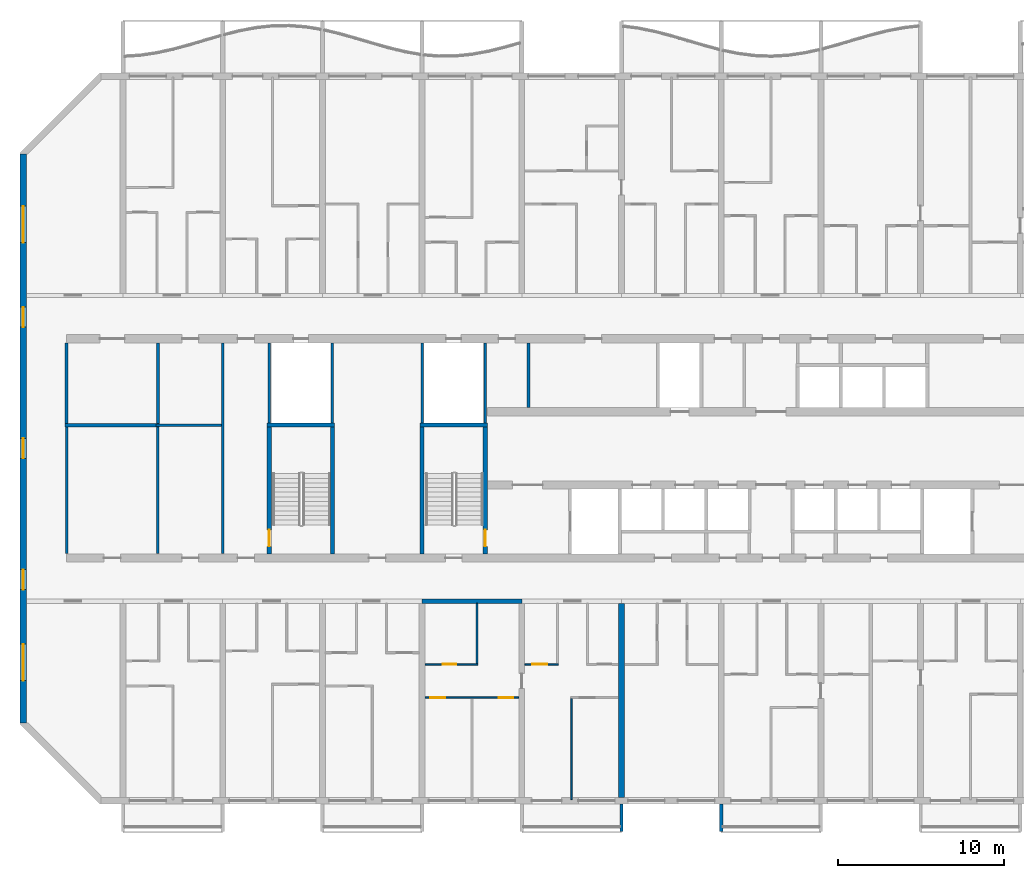
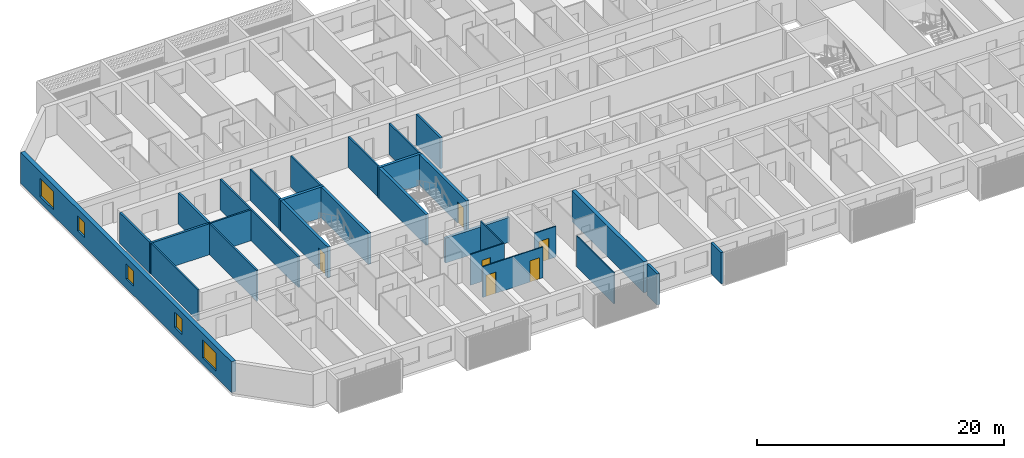
# One storey, part 3 of 27: 28 walls, 6 doors, 5 windows, 11 openings.
"""IFC4 building model written with IfcOpenShell, lengths in metres."""

from ifc_helpers import new_model, si_unit, direction, frame, frame_2d, origin, place, context, subcontext, project, spatial, polyline, rectangle, outline, extrude, source, transform, mapped, material, layer, layer_set, type_object, element, fill, save


model = new_model("IFC4")

# Units and contexts
model_context = context("Model", 3, precision=1e-05, world=origin(), true_north=direction((0.0, 1.0)))
body_context = subcontext(model_context, "Body", "Model", "MODEL_VIEW")
ifc_project = project(units=[si_unit("LENGTHUNIT", "METRE"), si_unit("AREAUNIT", "SQUARE_METRE"), si_unit("VOLUMEUNIT", "CUBIC_METRE"), si_unit("PLANEANGLEUNIT", "RADIAN"), si_unit("MASSUNIT", "GRAM", prefix="KILO")], contexts=[model_context])

# Site, building, storey
site_placement = place(None, origin())
site = spatial("IfcSite", under=ifc_project, at=site_placement, CompositionType="ELEMENT")
building_placement = place(site_placement, origin())
building = spatial("IfcBuilding", under=site, at=building_placement, Name="Poui Terraces", CompositionType="ELEMENT")
storey_placement = place(building_placement, frame((0.0, 0.0, 76.199951171875)))
storey = spatial("IfcBuildingStorey", under=building, at=storey_placement, Name="L20", CompositionType="ELEMENT", Elevation=76.199951171875)

# Walls
ifc_material_1 = material(Name="Fire-rated plasterboard wall")
ifc_layer_1 = layer(ifc_material_1, 0.14990234375)
ifc_layer_set_1 = layer_set([ifc_layer_1], Name="Fire-rated plasterboard wall")
wall_type_1 = type_object("IfcWallType", Name="CORRIDOR WALL 150", PredefinedType="PARTITIONING", material=ifc_layer_set_1)
wall_1_placement = place(storey_placement, frame((8.60009765625, 14.860107421875, 0.0), z_axis=(0.0, 0.0, 1.0), x_axis=(0.0, 1.0, 0.0)))
element("IfcWall", 1, at=wall_1_placement, inside=storey, type_object=wall_type_1, Name="CORRIDOR WALL 150", PredefinedType="PARTITIONING", context=body_context, shape_type="SweptSolid", body=[
    extrude(rectangle(XDim=7.639892578125, YDim=0.14990234375, at=frame_2d((3.81982421875, 0.0))), origin(), (0.0, 0.0, 1.0), 3.06005859375),
])
wall_2_placement = place(storey_placement, frame((18.0, 14.860107421875, 0.0), z_axis=(0.0, 0.0, 1.0), x_axis=(0.0, 1.0, 0.0)))
element("IfcWall", 2, at=wall_2_placement, inside=storey, type_object=wall_type_1, Name="CORRIDOR WALL 150", PredefinedType="PARTITIONING", context=body_context, shape_type="SweptSolid", body=[
    extrude(rectangle(XDim=12.679931640625, YDim=0.14990234375, at=frame_2d((6.33984375, 0.0))), origin(), (0.0, 0.0, 1.0), 3.06005859375),
])
ifc_material_2 = material(Name="Concrete 65 MPa", Category="concrete")
ifc_layer_2 = layer(ifc_material_2, 0.25)
ifc_layer_set_2 = layer_set([ifc_layer_2], Name="Concrete 65 MPa")
wall_type_2 = type_object("IfcWallType", Name="CORRIDOR WALL 250 65MPa", PredefinedType="SHEAR", material=ifc_layer_set_2)
wall_3_placement = place(storey_placement, frame((30.0, 12.0, 0.0), z_axis=(0.0, 0.0, 1.0), x_axis=(1.0, 0.0, 0.0)))
element("IfcWall", 3, at=wall_3_placement, inside=storey, type_object=wall_type_2, Name="CORRIDOR WALL LINE B BAY 5", PredefinedType="SHEAR", context=body_context, shape_type="SweptSolid", body=[
    extrude(rectangle(XDim=6.0, YDim=0.25, at=frame_2d((3.0, 0.0))), origin(), (0.0, 0.0, 1.0), 2.4599609375),
])
ifc_layer_3 = layer(ifc_material_2, 0.35009765625)
ifc_layer_set_3 = layer_set([ifc_layer_3], Name="Concrete 65 MPa")
wall_type_3 = type_object("IfcWallType", Name="CROSS WALL 350 65MPa", PredefinedType="SHEAR", material=ifc_layer_set_3)
wall_4_placement = place(storey_placement, frame((42.0, 0.199951171875, 0.0), z_axis=(0.0, 0.0, 1.0), x_axis=(0.0, 1.0, 0.0)))
element("IfcWall", 4, at=wall_4_placement, inside=storey, type_object=wall_type_3, Name="CROSS WALL LINE 8 SOUTH", PredefinedType="SHEAR", context=body_context, shape_type="SweptSolid", body=[
    extrude(rectangle(XDim=11.675048828125, YDim=0.35009765625, at=frame_2d((5.83740234375, 0.0))), origin(), (0.0, 0.0, 1.0), 3.06005859375),
])

# Wall, openings, windows
ifc_layer_4 = layer(ifc_material_2, 0.39990234375)
ifc_layer_set_4 = layer_set([ifc_layer_4], Name="Concrete 65 MPa")
wall_type_4 = type_object("IfcWallType", Name="END WALL 400 65MPa", PredefinedType="SHEAR", material=ifc_layer_set_4)
wall_5_placement = place(storey_placement, frame((6.0, 4.682861328125, 0.0), z_axis=(0.0, 0.0, 1.0), x_axis=(0.0, 1.0, 0.0)))
wall_5 = element("IfcWall", 5, at=wall_5_placement, inside=storey, type_object=wall_type_4, Name="END WALL WEST", PredefinedType="SHEAR", context=body_context, shape_type="SweptSolid", body=[
    extrude(rectangle(XDim=34.234375, YDim=0.39990234375, at=frame_2d((17.1171875, 0.0))), origin(), (0.0, 0.0, 1.0), 3.06005859375),
])
opening_1_placement = place(wall_5_placement, frame((23.817138671875, 0.0, 0.89990234375)))
opening_1 = element("IfcOpeningElement", 6, at=opening_1_placement, cuts=wall_5, Name="Opening W2", PredefinedType="OPENING", context=body_context, shape_type="SweptSolid", body=[
    extrude(rectangle(XDim=1.199951171875, YDim=1.5, at=frame_2d((0.60009765625, 0.75))), frame((0.0, 0.2099609375, 0.0), z_axis=(0.0, -1.0, 0.0), x_axis=(1.0, 0.0, 0.0)), (0.0, 0.0, 1.0), 0.419921875),
])
opening_2_placement = place(wall_5_placement, frame((8.01708984375, 0.0, 0.89990234375)))
opening_2 = element("IfcOpeningElement", 7, at=opening_2_placement, cuts=wall_5, Name="Opening W2", PredefinedType="OPENING", context=body_context, shape_type="SweptSolid", body=[
    extrude(rectangle(XDim=1.199951171875, YDim=1.5, at=frame_2d((0.60009765625, 0.75))), frame((0.0, 0.2099609375, 0.0), z_axis=(0.0, -1.0, 0.0), x_axis=(1.0, 0.0, 0.0)), (0.0, 0.0, 1.0), 0.419921875),
])
opening_3_placement = place(wall_5_placement, frame((15.917236328125, 0.0, 0.89990234375)))
opening_3 = element("IfcOpeningElement", 8, at=opening_3_placement, cuts=wall_5, Name="Opening W2", PredefinedType="OPENING", context=body_context, shape_type="SweptSolid", body=[
    extrude(rectangle(XDim=1.199951171875, YDim=1.5, at=frame_2d((0.60009765625, 0.75))), frame((0.0, 0.2099609375, 0.0), z_axis=(0.0, -1.0, 0.0), x_axis=(1.0, 0.0, 0.0)), (0.0, 0.0, 1.0), 0.419921875),
])
opening_4_placement = place(wall_5_placement, frame((28.8935546875, 0.0, 0.60009765625)))
opening_4 = element("IfcOpeningElement", 9, at=opening_4_placement, cuts=wall_5, Name="Opening W3", PredefinedType="OPENING", context=body_context, shape_type="SweptSolid", body=[
    extrude(rectangle(XDim=2.199951171875, YDim=1.800048828125, at=frame_2d((1.10009765625, 0.89990234375))), frame((0.0, 0.2099609375, 0.0), z_axis=(0.0, -1.0, 0.0), x_axis=(1.0, 0.0, 0.0)), (0.0, 0.0, 1.0), 0.419921875),
])
opening_5_placement = place(wall_5_placement, frame((2.541015625, 0.0, 0.60009765625)))
opening_5 = element("IfcOpeningElement", 10, at=opening_5_placement, cuts=wall_5, Name="Opening W3", PredefinedType="OPENING", context=body_context, shape_type="SweptSolid", body=[
    extrude(rectangle(XDim=2.199951171875, YDim=1.800048828125, at=frame_2d((1.10009765625, 0.89990234375))), frame((0.0, 0.2099609375, 0.0), z_axis=(0.0, -1.0, 0.0), x_axis=(1.0, 0.0, 0.0)), (0.0, 0.0, 1.0), 0.419921875),
])
ifc_material_3 = material(Name="Clear glass in aluminium frame", Category="aluminium")
window_type_1 = type_object("IfcWindowType", Name="WINDOW 1200X1500", PartitioningType="SINGLE_PANEL", PredefinedType="WINDOW", material=ifc_material_3)
window_1_placement = place(opening_1_placement, origin())
window_1 = element("IfcWindow", 11, at=window_1_placement, inside=storey, type_object=window_type_1, Name="W2 WINDOW", OverallHeight=1.5, OverallWidth=1.199951171875, PartitioningType="SINGLE_PANEL", PredefinedType="WINDOW", context=body_context, shape_type="SweptSolid", body=[
    extrude(rectangle(XDim=1.199951171875, YDim=1.5, at=frame_2d((0.60009765625, 0.75))), frame((0.0, 0.030029296875, 0.0), z_axis=(0.0, -1.0, 0.0), x_axis=(1.0, 0.0, 0.0)), (0.0, 0.0, 1.0), 0.06005859375),
])
fill(opening_1, window_1)
window_2_placement = place(opening_2_placement, origin())
window_2 = element("IfcWindow", 12, at=window_2_placement, inside=storey, type_object=window_type_1, Name="W2 WINDOW", OverallHeight=1.5, OverallWidth=1.199951171875, PartitioningType="SINGLE_PANEL", PredefinedType="WINDOW", context=body_context, shape_type="SweptSolid", body=[
    extrude(rectangle(XDim=1.199951171875, YDim=1.5, at=frame_2d((0.60009765625, 0.75))), frame((0.0, 0.030029296875, 0.0), z_axis=(0.0, -1.0, 0.0), x_axis=(1.0, 0.0, 0.0)), (0.0, 0.0, 1.0), 0.06005859375),
])
fill(opening_2, window_2)
window_3_placement = place(opening_3_placement, origin())
window_3 = element("IfcWindow", 13, at=window_3_placement, inside=storey, type_object=window_type_1, Name="W2 WINDOW", OverallHeight=1.5, OverallWidth=1.199951171875, PartitioningType="SINGLE_PANEL", PredefinedType="WINDOW", context=body_context, shape_type="SweptSolid", body=[
    extrude(rectangle(XDim=1.199951171875, YDim=1.5, at=frame_2d((0.60009765625, 0.75))), frame((0.0, 0.030029296875, 0.0), z_axis=(0.0, -1.0, 0.0), x_axis=(1.0, 0.0, 0.0)), (0.0, 0.0, 1.0), 0.06005859375),
])
fill(opening_3, window_3)
window_type_2 = type_object("IfcWindowType", Name="WINDOW 2200X1800", PartitioningType="DOUBLE_PANEL_HORIZONTAL", PredefinedType="WINDOW", material=ifc_material_3)
window_4_placement = place(opening_4_placement, origin())
window_4 = element("IfcWindow", 14, at=window_4_placement, inside=storey, type_object=window_type_2, Name="W3 WINDOW", OverallHeight=1.800048828125, OverallWidth=2.199951171875, PartitioningType="DOUBLE_PANEL_HORIZONTAL", PredefinedType="WINDOW", context=body_context, shape_type="SweptSolid", body=[
    extrude(rectangle(XDim=2.199951171875, YDim=1.800048828125, at=frame_2d((1.10009765625, 0.89990234375))), frame((0.0, 0.030029296875, 0.0), z_axis=(0.0, -1.0, 0.0), x_axis=(1.0, 0.0, 0.0)), (0.0, 0.0, 1.0), 0.06005859375),
])
fill(opening_4, window_4)
window_5_placement = place(opening_5_placement, origin())
window_5 = element("IfcWindow", 15, at=window_5_placement, inside=storey, type_object=window_type_2, Name="W3 WINDOW", OverallHeight=1.800048828125, OverallWidth=2.199951171875, PartitioningType="DOUBLE_PANEL_HORIZONTAL", PredefinedType="WINDOW", context=body_context, shape_type="SweptSolid", body=[
    extrude(rectangle(XDim=2.199951171875, YDim=1.800048828125, at=frame_2d((1.10009765625, 0.89990234375))), frame((0.0, 0.030029296875, 0.0), z_axis=(0.0, -1.0, 0.0), x_axis=(1.0, 0.0, 0.0)), (0.0, 0.0, 1.0), 0.06005859375),
])
fill(opening_5, window_5)

# Wall, openings, doors
ifc_material_4 = material(Name="Plasterboard partition")
ifc_layer_5 = layer(ifc_material_4, 0.10009765625)
ifc_layer_set_5 = layer_set([ifc_layer_5], Name="Plasterboard partition")
wall_type_5 = type_object("IfcWallType", Name="FLAT PARTITION 100", PredefinedType="PARTITIONING", material=ifc_layer_set_5)
wall_6_placement = place(storey_placement, frame((30.18505859375, 6.199951171875, 0.0), z_axis=(0.0, 0.0, 1.0), x_axis=(1.0, 0.0, 0.0)))
wall_6 = element("IfcWall", 16, at=wall_6_placement, inside=storey, type_object=wall_type_5, Name="FLAT PARTITION 100", PredefinedType="PARTITIONING", context=body_context, shape_type="SweptSolid", body=[
    extrude(rectangle(XDim=5.6298828125, YDim=0.10009765625, at=frame_2d((2.81494140625, 0.0))), origin(), (0.0, 0.0, 1.0), 3.06005859375),
])
opening_6_placement = place(wall_6_placement, frame((0.31494140625, 0.0, 0.0)))
opening_6 = element("IfcOpeningElement", 17, at=opening_6_placement, cuts=wall_6, Name="Opening D90", PredefinedType="OPENING", context=body_context, shape_type="SweptSolid", body=[
    extrude(rectangle(XDim=0.89990234375, YDim=2.10009765625, at=frame_2d((0.449951171875, 1.050048828125))), frame((0.0, 0.06005859375, 0.0), z_axis=(0.0, -1.0, 0.0), x_axis=(1.0, 0.0, 0.0)), (0.0, 0.0, 1.0), 0.1201171875),
])
opening_7_placement = place(wall_6_placement, frame((4.4150390625, 0.0, 0.0)))
opening_7 = element("IfcOpeningElement", 18, at=opening_7_placement, cuts=wall_6, Name="Opening D90", PredefinedType="OPENING", context=body_context, shape_type="SweptSolid", body=[
    extrude(rectangle(XDim=0.89990234375, YDim=2.10009765625, at=frame_2d((0.449951171875, 1.050048828125))), frame((0.0, 0.06005859375, 0.0), z_axis=(0.0, -1.0, 0.0), x_axis=(1.0, 0.0, 0.0)), (0.0, 0.0, 1.0), 0.1201171875),
])
ifc_material_5 = material(Name="Solid core timber door", Category="wood")
door_type_1 = type_object("IfcDoorType", Name="INTERNAL DOOR 900 X 2100", OperationType="NOTDEFINED", PredefinedType="DOOR", material=ifc_material_5)
door_1_placement = place(opening_6_placement, frame((0.89990234375, 0.0, 0.0), z_axis=(0.0, 0.0, 1.0), x_axis=(-1.0, 0.0, 0.0)))
door_1 = element("IfcDoor", 19, at=door_1_placement, inside=storey, type_object=door_type_1, Name="INTERNAL DOOR 096", OperationType="SINGLE_SWING_RIGHT", OverallHeight=2.10009765625, OverallWidth=0.89990234375, PredefinedType="DOOR", context=body_context, shape_type="SweptSolid", body=[
    extrude(rectangle(XDim=0.89990234375, YDim=2.10009765625, at=frame_2d((0.449951171875, 1.050048828125))), frame((0.0, 0.02490234375, 0.0), z_axis=(0.0, -1.0, 0.0), x_axis=(1.0, 0.0, 0.0)), (0.0, 0.0, 1.0), 0.050048828125),
])
fill(opening_6, door_1)
door_2_placement = place(opening_7_placement, frame((0.89990234375, 0.0, 0.0), z_axis=(0.0, 0.0, 1.0), x_axis=(-1.0, 0.0, 0.0)))
door_2 = element("IfcDoor", 20, at=door_2_placement, inside=storey, type_object=door_type_1, Name="INTERNAL DOOR 098", OperationType="SINGLE_SWING_LEFT", OverallHeight=2.10009765625, OverallWidth=0.89990234375, PredefinedType="DOOR", context=body_context, shape_type="SweptSolid", body=[
    extrude(rectangle(XDim=0.89990234375, YDim=2.10009765625, at=frame_2d((0.449951171875, 1.050048828125))), frame((0.0, 0.02490234375, 0.0), z_axis=(0.0, -1.0, 0.0), x_axis=(1.0, 0.0, 0.0)), (0.0, 0.0, 1.0), 0.050048828125),
])
fill(opening_7, door_2)

# Wall, opening, door
wall_7_placement = place(storey_placement, frame((30.18505859375, 8.199951171875, 0.0), z_axis=(0.0, 0.0, 1.0), x_axis=(1.0, 0.0, 0.0)))
wall_7 = element("IfcWall", 21, at=wall_7_placement, inside=storey, type_object=wall_type_5, Name="FLAT PARTITION 100", PredefinedType="PARTITIONING", context=body_context, shape_type="SweptSolid", body=[
    extrude(rectangle(XDim=3.1650390625, YDim=0.10009765625, at=frame_2d((1.58251953125, 0.0))), origin(), (0.0, 0.0, 1.0), 3.06005859375),
])
opening_8_placement = place(wall_7_placement, frame((1.06494140625, 0.0, 0.0)))
opening_8 = element("IfcOpeningElement", 22, at=opening_8_placement, cuts=wall_7, Name="Opening D80", PredefinedType="OPENING", context=body_context, shape_type="SweptSolid", body=[
    extrude(rectangle(XDim=0.800048828125, YDim=2.10009765625, at=frame_2d((0.39990234375, 1.050048828125))), frame((0.0, 0.06005859375, 0.0), z_axis=(0.0, -1.0, 0.0), x_axis=(1.0, 0.0, 0.0)), (0.0, 0.0, 1.0), 0.1201171875),
])
door_type_2 = type_object("IfcDoorType", Name="BATHROOM, LAUNDRY AND STORE DOOR 800 X 2100", OperationType="NOTDEFINED", PredefinedType="DOOR", material=ifc_material_5)
door_3_placement = place(opening_8_placement, frame((0.800048828125, 0.0, 0.0), z_axis=(0.0, 0.0, 1.0), x_axis=(-1.0, 0.0, 0.0)))
door_3 = element("IfcDoor", 23, at=door_3_placement, inside=storey, type_object=door_type_2, Name="BATHROOM, LAUNDRY AND STORE DOOR 097", OperationType="SINGLE_SWING_LEFT", OverallHeight=2.10009765625, OverallWidth=0.800048828125, PredefinedType="DOOR", context=body_context, shape_type="SweptSolid", body=[
    extrude(rectangle(XDim=0.800048828125, YDim=2.10009765625, at=frame_2d((0.39990234375, 1.050048828125))), frame((0.0, 0.02490234375, 0.0), z_axis=(0.0, -1.0, 0.0), x_axis=(1.0, 0.0, 0.0)), (0.0, 0.0, 1.0), 0.050048828125),
])
fill(opening_8, door_3)

wall_8_placement = place(storey_placement, frame((36.18505859375, 8.199951171875, 0.0), z_axis=(0.0, 0.0, 1.0), x_axis=(1.0, 0.0, 0.0)))
wall_8 = element("IfcWall", 24, at=wall_8_placement, inside=storey, type_object=wall_type_5, Name="FLAT PARTITION 100", PredefinedType="PARTITIONING", context=body_context, shape_type="SweptSolid", body=[
    extrude(rectangle(XDim=2.014892578125, YDim=0.10009765625, at=frame_2d((1.00732421875, 0.0))), origin(), (0.0, 0.0, 1.0), 3.06005859375),
])
opening_9_placement = place(wall_8_placement, frame((0.43994140625, 0.0, 0.0)))
opening_9 = element("IfcOpeningElement", 25, at=opening_9_placement, cuts=wall_8, Name="Opening D90", PredefinedType="OPENING", context=body_context, shape_type="SweptSolid", body=[
    extrude(rectangle(XDim=0.89990234375, YDim=2.10009765625, at=frame_2d((0.449951171875, 1.050048828125))), frame((0.0, 0.06005859375, 0.0), z_axis=(0.0, -1.0, 0.0), x_axis=(1.0, 0.0, 0.0)), (0.0, 0.0, 1.0), 0.1201171875),
])
door_4_placement = place(opening_9_placement, origin())
door_4 = element("IfcDoor", 26, at=door_4_placement, inside=storey, type_object=door_type_1, Name="INTERNAL DOOR 100", OperationType="SINGLE_SWING_RIGHT", OverallHeight=2.10009765625, OverallWidth=0.89990234375, PredefinedType="DOOR", context=body_context, shape_type="SweptSolid", body=[
    extrude(rectangle(XDim=0.89990234375, YDim=2.10009765625, at=frame_2d((0.449951171875, 1.050048828125))), frame((0.0, 0.02490234375, 0.0), z_axis=(0.0, -1.0, 0.0), x_axis=(1.0, 0.0, 0.0)), (0.0, 0.0, 1.0), 0.050048828125),
])
fill(opening_9, door_4)

# Walls
wall_9_placement = place(storey_placement, frame((33.300048828125, 8.25, 0.0), z_axis=(0.0, 0.0, 1.0), x_axis=(0.0, 1.0, 0.0)))
element("IfcWall", 27, at=wall_9_placement, inside=storey, type_object=wall_type_5, Name="FLAT PARTITION 100", PredefinedType="PARTITIONING", context=body_context, shape_type="SweptSolid", body=[
    extrude(rectangle(XDim=3.614990234375, YDim=0.10009765625, at=frame_2d((1.8076171875, 0.0))), origin(), (0.0, 0.0, 1.0), 3.06005859375),
])
wall_10_placement = place(storey_placement, frame((39.0, 0.06005859375, 0.0), z_axis=(0.0, 0.0, 1.0), x_axis=(0.0, 1.0, 0.0)))
element("IfcWall", 28, at=wall_10_placement, inside=storey, type_object=wall_type_5, Name="FLAT PARTITION 100", PredefinedType="PARTITIONING", context=body_context, shape_type="SweptSolid", body=[
    extrude(rectangle(XDim=6.08984375, YDim=0.10009765625, at=frame_2d((3.044921875, 0.0))), origin(), (0.0, 0.0, 1.0), 3.06005859375),
])
ifc_layer_6 = layer(ifc_material_4, 0.14990234375)
ifc_layer_set_6 = layer_set([ifc_layer_6], Name="Plasterboard partition")
wall_type_6 = type_object("IfcWallType", Name="PARTITION WALL 150", PredefinedType="PARTITIONING", material=ifc_layer_set_6)
wall_11_placement = place(storey_placement, frame((14.0, 22.60009765625, 0.0), z_axis=(0.0, 0.0, 1.0), x_axis=(1.0, 0.0, 0.0)))
element("IfcWall", 29, at=wall_11_placement, inside=storey, type_object=wall_type_6, Name="PARTITION WALL 150", PredefinedType="PARTITIONING", context=body_context, shape_type="SweptSolid", body=[
    extrude(rectangle(XDim=3.925048828125, YDim=0.14990234375, at=frame_2d((1.96240234375, 0.0))), origin(), (0.0, 0.0, 1.0), 3.06005859375),
])
wall_12_placement = place(storey_placement, frame((14.10009765625, 14.860107421875, 0.0), z_axis=(0.0, 0.0, 1.0), x_axis=(0.0, 1.0, 0.0)))
element("IfcWall", 30, at=wall_12_placement, inside=storey, type_object=wall_type_6, Name="PARTITION WALL 150", PredefinedType="PARTITIONING", context=body_context, shape_type="SweptSolid", body=[
    extrude(rectangle(XDim=7.639892578125, YDim=0.14990234375, at=frame_2d((3.81982421875, 0.0))), origin(), (0.0, 0.0, 1.0), 3.06005859375),
])
ifc_material_6 = material(Name="Fire-rated masonry wall", Category="masonry")
ifc_layer_7 = layer(ifc_material_6, 0.199951171875)
ifc_layer_set_7 = layer_set([ifc_layer_7], Name="Fire-rated masonry wall")
wall_type_7 = type_object("IfcWallType", Name="PLANT ROOM WALL 200", PredefinedType="PARTITIONING", material=ifc_layer_set_7)
wall_13_placement = place(storey_placement, frame((8.5, 22.60009765625, 0.0), z_axis=(0.0, 0.0, 1.0), x_axis=(1.0, 0.0, 0.0)))
element("IfcWall", 31, at=wall_13_placement, inside=storey, type_object=wall_type_7, Name="PLANT ROOM WALL 200", PredefinedType="PARTITIONING", context=body_context, shape_type="SweptSolid", body=[
    extrude(rectangle(XDim=5.699951171875, YDim=0.199951171875, at=frame_2d((2.85009765625, 0.0))), origin(), (0.0, 0.0, 1.0), 3.06005859375),
])
for number, where, z_axis, x_axis, name in (
    (32, (8.60009765625, 22.699951171875, 0.0), (0.0, 0.0, 1.0), (0.0, 1.0, 0.0), "PLANT ROOM WALL 200"),
    (33, (14.10009765625, 22.699951171875, 0.0), (0.0, 0.0, 1.0), (0.0, 1.0, 0.0), "PLANT ROOM WALL 200"),
):
    element("IfcWall", number, at=place(storey_placement, frame(where, z_axis=z_axis, x_axis=x_axis)), inside=storey, type_object=wall_type_7, Name=name, PredefinedType="PARTITIONING", context=body_context, shape_type="SweptSolid", body=[
        extrude(rectangle(XDim=4.840087890625, YDim=0.199951171875, at=frame_2d((2.419921875, 0.0))), origin(), (0.0, 0.0, 1.0), 3.06005859375),
    ])
wall_14_placement = place(storey_placement, frame((36.39990234375, 23.659912109375, 0.0), z_axis=(0.0, 0.0, 1.0), x_axis=(0.0, 1.0, 0.0)))
element("IfcWall", 34, at=wall_14_placement, inside=storey, type_object=wall_type_7, Name="PLANT ROOM WALL 200", PredefinedType="PARTITIONING", context=body_context, shape_type="SweptSolid", body=[
    extrude(rectangle(XDim=3.880126953125, YDim=0.199951171875, at=frame_2d((1.93994140625, 0.0))), origin(), (0.0, 0.0, 1.0), 3.06005859375),
])
ifc_material_7 = material(Name="Fire-rated plasterboard riser wall")
ifc_layer_8 = layer(ifc_material_7, 0.14990234375)
ifc_layer_set_8 = layer_set([ifc_layer_8], Name="Fire-rated plasterboard riser wall")
wall_type_8 = type_object("IfcWallType", Name="RISER WALL 150", PredefinedType="PARTITIONING", material=ifc_layer_set_8)
for number, where, z_axis, x_axis, name in (
    (35, (20.800048828125, 22.735107421875, 0.0), (0.0, 0.0, 1.0), (0.0, 1.0, 0.0), "RISER WALL 150"),
    (36, (24.60009765625, 22.735107421875, 0.0), (0.0, 0.0, 1.0), (0.0, 1.0, 0.0), "RISER WALL 150"),
    (37, (30.0, 22.735107421875, 0.0), (0.0, 0.0, 1.0), (0.0, 1.0, 0.0), "RISER WALL 150"),
    (38, (33.800048828125, 22.735107421875, 0.0), (0.0, 0.0, 1.0), (0.0, 1.0, 0.0), "RISER WALL 150"),
):
    element("IfcWall", number, at=place(storey_placement, frame(where, z_axis=z_axis, x_axis=x_axis)), inside=storey, type_object=wall_type_8, Name=name, PredefinedType="PARTITIONING", context=body_context, shape_type="SweptSolid", body=[
        extrude(rectangle(XDim=4.804931640625, YDim=0.14990234375, at=frame_2d((2.40234375, 0.0))), origin(), (0.0, 0.0, 1.0), 3.06005859375),
    ])
ifc_layer_9 = layer(ifc_material_2, 0.25)
ifc_layer_set_9 = layer_set([ifc_layer_9], Name="Concrete 65 MPa")
wall_type_9 = type_object("IfcWallType", Name="STAIR CORE WALL 250 65 MPA", PredefinedType="SOLIDWALL", material=ifc_layer_set_9)
wall_15_placement = place(storey_placement, frame((30.0, 14.85009765625, 0.0), z_axis=(0.0, 0.0, 1.0), x_axis=(0.0, 1.0, 0.0)))
element("IfcWall", 39, at=wall_15_placement, inside=storey, type_object=wall_type_9, Name="STAIR CORE WALL", PredefinedType="SOLIDWALL", context=body_context, shape_type="SweptSolid", body=[
    extrude(rectangle(XDim=7.625, YDim=0.25, at=frame_2d((3.8125, 0.0))), origin(), (0.0, 0.0, 1.0), 3.06005859375),
])

# Wall, opening, door
wall_16_placement = place(storey_placement, frame((33.800048828125, 14.85009765625, 0.0), z_axis=(0.0, 0.0, 1.0), x_axis=(0.0, 1.0, 0.0)))
wall_16 = element("IfcWall", 40, at=wall_16_placement, inside=storey, type_object=wall_type_9, Name="STAIR CORE WALL", PredefinedType="SOLIDWALL", context=body_context, shape_type="SweptSolid", body=[
    extrude(rectangle(XDim=7.625, YDim=0.25, at=frame_2d((3.8125, 0.0))), origin(), (0.0, 0.0, 1.0), 3.06005859375),
])
opening_10_placement = place(wall_16_placement, frame((0.449951171875, 0.0, 0.0)))
opening_10 = element("IfcOpeningElement", 41, at=opening_10_placement, cuts=wall_16, Name="Opening FD60S", PredefinedType="OPENING", context=body_context, shape_type="SweptSolid", body=[
    extrude(rectangle(XDim=1.0, YDim=2.10009765625, at=frame_2d((0.5, 1.050048828125))), frame((0.0, 0.135009765625, 0.0), z_axis=(0.0, -1.0, 0.0), x_axis=(1.0, 0.0, 0.0)), (0.0, 0.0, 1.0), 0.27001953125),
])
ifc_material_8 = material(Name="Steel fire door", Category="steel")
door_type_3 = type_object("IfcDoorType", Name="STAIR DOOR 1000 X 2100", OperationType="NOTDEFINED", PredefinedType="DOOR", material=ifc_material_8)
door_5_placement = place(opening_10_placement, origin())
door_5 = element("IfcDoor", 42, at=door_5_placement, inside=storey, type_object=door_type_3, Name="STAIR DOOR 137", OperationType="SINGLE_SWING_LEFT", OverallHeight=2.10009765625, OverallWidth=1.0, PredefinedType="DOOR", context=body_context, shape_type="SweptSolid", body=[
    extrude(rectangle(XDim=1.0, YDim=2.10009765625, at=frame_2d((0.5, 1.050048828125))), frame((0.0, 0.02490234375, 0.0), z_axis=(0.0, -1.0, 0.0), x_axis=(1.0, 0.0, 0.0)), (0.0, 0.0, 1.0), 0.050048828125),
])
fill(opening_10, door_5)

# Wall
wall_17_placement = place(storey_placement, frame((29.875, 22.60009765625, 0.0), z_axis=(0.0, 0.0, 1.0), x_axis=(1.0, 0.0, 0.0)))
element("IfcWall", 43, at=wall_17_placement, inside=storey, type_object=wall_type_9, Name="STAIR CORE WALL", PredefinedType="SOLIDWALL", context=body_context, shape_type="SweptSolid", body=[
    extrude(rectangle(XDim=4.050048828125, YDim=0.25, at=frame_2d((2.02490234375, 0.0))), origin(), (0.0, 0.0, 1.0), 3.06005859375),
])

# Wall, opening, door
wall_18_placement = place(storey_placement, frame((20.800048828125, 14.85009765625, 0.0), z_axis=(0.0, 0.0, 1.0), x_axis=(0.0, 1.0, 0.0)))
wall_18 = element("IfcWall", 44, at=wall_18_placement, inside=storey, type_object=wall_type_9, Name="STAIR CORE WALL", PredefinedType="SOLIDWALL", context=body_context, shape_type="SweptSolid", body=[
    extrude(rectangle(XDim=7.625, YDim=0.25, at=frame_2d((3.8125, 0.0))), origin(), (0.0, 0.0, 1.0), 3.06005859375),
])
opening_11_placement = place(wall_18_placement, frame((0.449951171875, 0.0, 0.0)))
opening_11 = element("IfcOpeningElement", 45, at=opening_11_placement, cuts=wall_18, Name="Opening FD60S", PredefinedType="OPENING", context=body_context, shape_type="SweptSolid", body=[
    extrude(rectangle(XDim=1.0, YDim=2.10009765625, at=frame_2d((0.5, 1.050048828125))), frame((0.0, 0.135009765625, 0.0), z_axis=(0.0, -1.0, 0.0), x_axis=(1.0, 0.0, 0.0)), (0.0, 0.0, 1.0), 0.27001953125),
])
door_6_placement = place(opening_11_placement, frame((1.0, 0.0, 0.0), z_axis=(0.0, 0.0, 1.0), x_axis=(-1.0, 0.0, 0.0)))
door_6 = element("IfcDoor", 46, at=door_6_placement, inside=storey, type_object=door_type_3, Name="STAIR DOOR 151", OperationType="SINGLE_SWING_RIGHT", OverallHeight=2.10009765625, OverallWidth=1.0, PredefinedType="DOOR", context=body_context, shape_type="SweptSolid", body=[
    extrude(rectangle(XDim=1.0, YDim=2.10009765625, at=frame_2d((0.5, 1.050048828125))), frame((0.0, 0.02490234375, 0.0), z_axis=(0.0, -1.0, 0.0), x_axis=(1.0, 0.0, 0.0)), (0.0, 0.0, 1.0), 0.050048828125),
])
fill(opening_11, door_6)

# Walls
wall_19_placement = place(storey_placement, frame((24.60009765625, 14.85009765625, 0.0), z_axis=(0.0, 0.0, 1.0), x_axis=(0.0, 1.0, 0.0)))
element("IfcWall", 47, at=wall_19_placement, inside=storey, type_object=wall_type_9, Name="STAIR CORE WALL", PredefinedType="SOLIDWALL", context=body_context, shape_type="SweptSolid", body=[
    extrude(rectangle(XDim=7.625, YDim=0.25, at=frame_2d((3.8125, 0.0))), origin(), (0.0, 0.0, 1.0), 3.06005859375),
])
wall_20_placement = place(storey_placement, frame((20.675048828125, 22.60009765625, 0.0), z_axis=(0.0, 0.0, 1.0), x_axis=(1.0, 0.0, 0.0)))
element("IfcWall", 48, at=wall_20_placement, inside=storey, type_object=wall_type_9, Name="STAIR CORE WALL", PredefinedType="SOLIDWALL", context=body_context, shape_type="SweptSolid", body=[
    extrude(rectangle(XDim=4.050048828125, YDim=0.25, at=frame_2d((2.02490234375, 0.0))), origin(), (0.0, 0.0, 1.0), 3.06005859375),
])
ifc_material_9 = material(Name="Precast concrete 40 MPa", Category="concrete")
ifc_layer_10 = layer(ifc_material_9, 0.199951171875)
ifc_layer_set_10 = layer_set([ifc_layer_10], Name="Precast concrete 40 MPa")
wall_type_10 = type_object("IfcWallType", Name="REAR FIN 200", PredefinedType="STANDARD", material=ifc_layer_set_10)
shared_shape = source(origin(), body_context, "Body", "SweptSolid", [
    extrude(outline(polyline([(0.0, 0.0), (0.2001953125, 0.0), (0.2001953125, 1.650146484375), (0.0, 1.650146484375), (0.0, 0.0)])), origin(), (0.0, 0.0, 1.0), 3.10009765625),
])
for number, where, name in (
    (49, (41.89990234375, -1.85009765625, 0.0), "REAR FIN"),
    (50, (47.89990234375, -1.85009765625, 0.0), "REAR FIN"),
):
    element("IfcWall", number, at=place(storey_placement, frame(where)), inside=storey, type_object=wall_type_10, Name=name, PredefinedType="STANDARD", context=body_context, shape_type="MappedRepresentation", body=[
        mapped(shared_shape, transform((0.0, 0.0, 0.0))),
    ])

save(model, "model.ifc")
